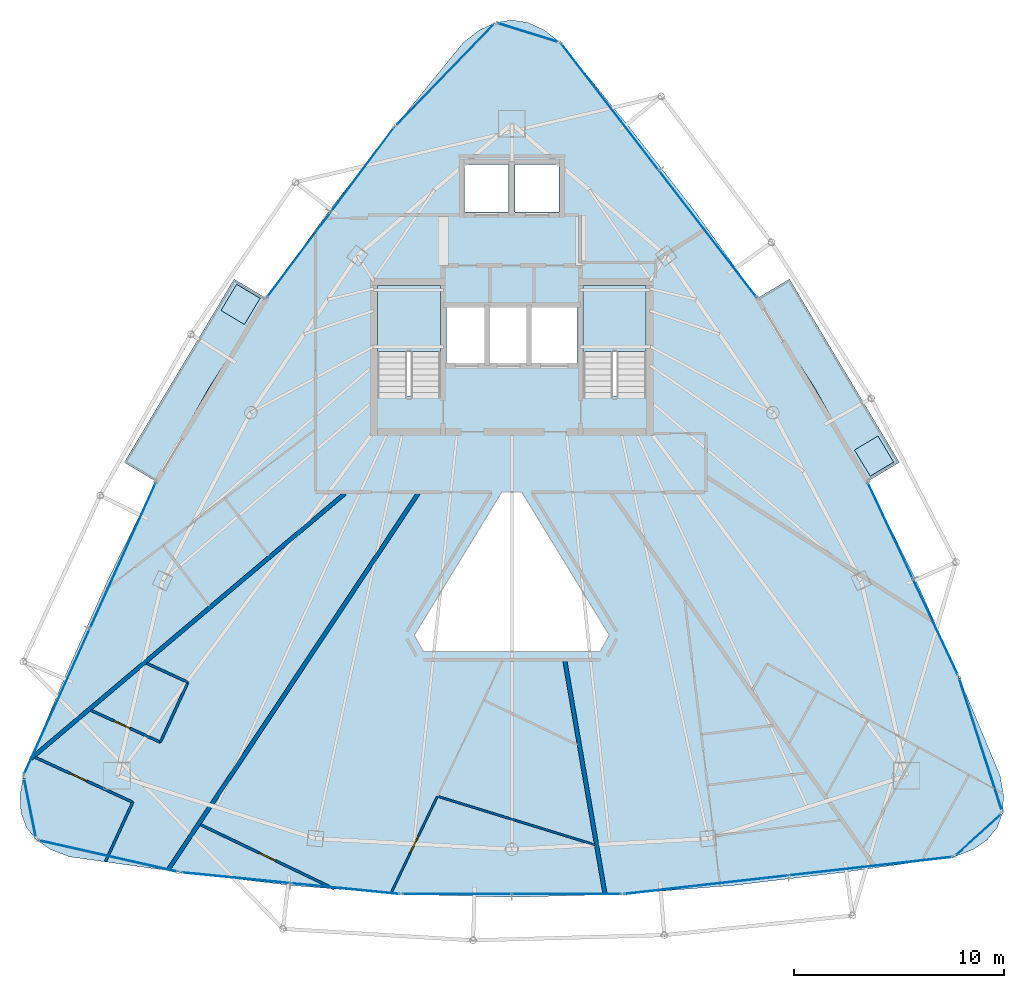
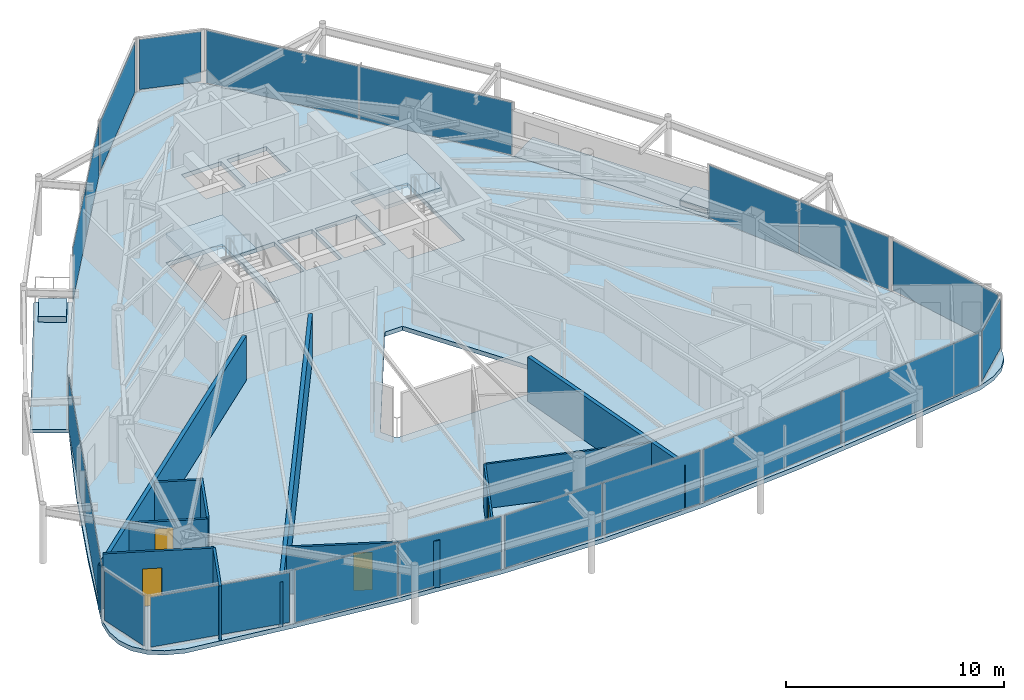
# One storey, part 27 of 33: 20 plates, 11 walls, 7 slabs, 4 doors, 4 openings, 15 elements without a shape of their own.
"""IFC4 building model written with IfcOpenShell, lengths in metres."""

from ifc_helpers import new_model, si_unit, direction, frame, frame_2d, origin, origin_2d, place, context, subcontext, project, spatial, polyline, rectangle, outline, extrude, material, layer, layer_set, type_object, element, fill, aggregate, save


model = new_model("IFC4")

# Units and contexts
model_context = context("Model", 3, precision=1e-05, world=origin(), true_north=direction((0.0, 1.0)))
body_context = subcontext(model_context, "Body", "Model", "MODEL_VIEW")
ifc_project = project(units=[si_unit("LENGTHUNIT", "METRE"), si_unit("AREAUNIT", "SQUARE_METRE"), si_unit("VOLUMEUNIT", "CUBIC_METRE"), si_unit("PLANEANGLEUNIT", "RADIAN"), si_unit("MASSUNIT", "GRAM", prefix="KILO")], contexts=[model_context])

# Site, building, storey
site_placement = place(None, origin())
site = spatial("IfcSite", under=ifc_project, at=site_placement, CompositionType="ELEMENT")
building_placement = place(site_placement, origin())
building = spatial("IfcBuilding", under=site, at=building_placement, Name="Orvanel Arch Residences", CompositionType="ELEMENT")
storey_placement = place(building_placement, frame((0.0, 0.0, 209.60009765625)))
storey = spatial("IfcBuildingStorey", under=building, at=storey_placement, Name="L59", CompositionType="ELEMENT", Elevation=209.60009765625)

# Curtain wall, plates
ifc_material_1 = material(Name="Bronze-anodised aluminium AA6063-T6", Category="aluminium")
ifc_layer_1 = layer(ifc_material_1, 0.175048828125)
ifc_layer_set_1 = layer_set([ifc_layer_1], Name="Bronze-anodised aluminium AA6063-T6")
curtain_wall_type_1 = type_object("IfcCurtainWallType", Name="CW4-HI-SYS", PredefinedType="NOTDEFINED", material=ifc_layer_set_1)
curtain_wall_1_placement = place(storey_placement, origin())
curtain_wall_1 = element("IfcCurtainWall", 1, at=curtain_wall_1_placement, inside=storey, type_object=curtain_wall_type_1, Name="L59 CW4-HI-SYS Unitised Curtain Wall", PredefinedType="NOTDEFINED")
ifc_material_2 = material(Name="Double-glazed solar-control low-E safety glass", Category="glass")
ifc_layer_2 = layer(ifc_material_2, 0.028076171875)
ifc_layer_set_2 = layer_set([ifc_layer_2], Name="Double-glazed solar-control low-E safety glass")
plate_type_1 = type_object("IfcPlateType", Name="PNL-GLZ-28", PredefinedType="CURTAIN_PANEL", material=ifc_layer_set_2)
plate_1_placement = place(storey_placement, frame((25.884033203125, 39.20654296875, 0.059814453125), z_axis=(0.0, 0.0, 1.0), x_axis=(-0.599151723424, -0.800635505282, 0.0)))
plate_1 = element("IfcPlate", 2, at=plate_1_placement, type_object=plate_type_1, Name="CW-S4 panel 1.1", PredefinedType="CURTAIN_PANEL", context=body_context, shape_type="SweptSolid", body=[
    extrude(rectangle(XDim=4.997314453125, YDim=0.028076171875, at=origin_2d()), origin(), (0.0, 0.0, 1.0), 2.93994140625),
])
plate_2_placement = place(storey_placement, frame((22.85107421875, 35.153564453125, 0.059814453125), z_axis=(0.0, 0.0, 1.0), x_axis=(-0.599151723424, -0.800635505282, 0.0)))
plate_2 = element("IfcPlate", 3, at=plate_2_placement, type_object=plate_type_1, Name="CW-S4 panel 2.1", PredefinedType="CURTAIN_PANEL", context=body_context, shape_type="SweptSolid", body=[
    extrude(rectangle(XDim=4.997314453125, YDim=0.028076171875, at=origin_2d()), origin(), (0.0, 0.0, 1.0), 2.93994140625),
])
aggregate(curtain_wall_1, [plate_1, plate_2])

curtain_wall_2_placement = place(storey_placement, origin())
curtain_wall_2 = element("IfcCurtainWall", 4, at=curtain_wall_2_placement, inside=storey, type_object=curtain_wall_type_1, Name="L59 CW4-HI-SYS Unitised Curtain Wall", PredefinedType="NOTDEFINED")
plate_3_placement = place(storey_placement, frame((14.476318359375, 20.833740234375, 0.059814453125), z_axis=(0.0, 0.0, 1.0), x_axis=(-0.411530785971, -0.911395859217, 0.0)))
plate_3 = element("IfcPlate", 5, at=plate_3_placement, type_object=plate_type_1, Name="CW-S4 panel 1.1", PredefinedType="CURTAIN_PANEL", context=body_context, shape_type="SweptSolid", body=[
    extrude(rectangle(XDim=7.566650390625, YDim=0.028076171875, at=origin_2d()), origin(), (0.0, 0.0, 1.0), 2.93994140625),
])
plate_4_placement = place(storey_placement, frame((11.335693359375, 13.87841796875, 0.059814453125), z_axis=(0.0, 0.0, 1.0), x_axis=(-0.411530785971, -0.911395859217, 0.0)))
plate_4 = element("IfcPlate", 6, at=plate_4_placement, type_object=plate_type_1, Name="CW-S4 panel 2.1", PredefinedType="CURTAIN_PANEL", context=body_context, shape_type="SweptSolid", body=[
    extrude(rectangle(XDim=7.566650390625, YDim=0.028076171875, at=origin_2d()), origin(), (0.0, 0.0, 1.0), 2.93994140625),
])
aggregate(curtain_wall_2, [plate_3, plate_4])

curtain_wall_3_placement = place(storey_placement, origin())
curtain_wall_3 = element("IfcCurtainWall", 7, at=curtain_wall_3_placement, inside=storey, type_object=curtain_wall_type_1, Name="L59 CW4-HI-SYS Unitised Curtain Wall", PredefinedType="NOTDEFINED")
plate_5_placement = place(storey_placement, frame((19.858642578125, 5.4873046875, 0.059814453125), z_axis=(0.0, 0.0, 1.0), x_axis=(0.995125054579, -0.098621122229, 0.0)))
plate_5 = element("IfcPlate", 8, at=plate_5_placement, type_object=plate_type_1, Name="CW-S4 panel 1.1", PredefinedType="CURTAIN_PANEL", context=body_context, shape_type="SweptSolid", body=[
    extrude(rectangle(XDim=5.17529296875, YDim=0.028076171875, at=origin_2d()), origin(), (0.0, 0.0, 1.0), 2.93994140625),
])
plate_6_placement = place(storey_placement, frame((25.0732421875, 4.970703125, 0.059814453125), z_axis=(0.0, 0.0, 1.0), x_axis=(0.995125054579, -0.098621122229, 0.0)))
plate_6 = element("IfcPlate", 9, at=plate_6_placement, type_object=plate_type_1, Name="CW-S4 panel 2.1", PredefinedType="CURTAIN_PANEL", context=body_context, shape_type="SweptSolid", body=[
    extrude(rectangle(XDim=5.17529296875, YDim=0.028076171875, at=origin_2d()), origin(), (0.0, 0.0, 1.0), 2.93994140625),
])
aggregate(curtain_wall_3, [plate_5, plate_6])

curtain_wall_4_placement = place(storey_placement, origin())
curtain_wall_4 = element("IfcCurtainWall", 10, at=curtain_wall_4_placement, inside=storey, type_object=curtain_wall_type_1, Name="L59 CW4-HI-SYS Unitised Curtain Wall", PredefinedType="NOTDEFINED")
plate_7_placement = place(storey_placement, frame((30.392822265625, 4.70703125, 0.059814453125), z_axis=(0.0, 0.0, 1.0), x_axis=(1.0, 0.0, 0.0)))
plate_7 = element("IfcPlate", 11, at=plate_7_placement, type_object=plate_type_1, Name="CW-S4 panel 1.1", PredefinedType="CURTAIN_PANEL", context=body_context, shape_type="SweptSolid", body=[
    extrude(rectangle(XDim=5.1494140625, YDim=0.028076171875, at=origin_2d()), origin(), (0.0, 0.0, 1.0), 2.93994140625),
])
plate_8_placement = place(storey_placement, frame((35.607177734375, 4.70703125, 0.059814453125), z_axis=(0.0, 0.0, 1.0), x_axis=(1.0, 0.0, 0.0)))
plate_8 = element("IfcPlate", 12, at=plate_8_placement, type_object=plate_type_1, Name="CW-S4 panel 2.1", PredefinedType="CURTAIN_PANEL", context=body_context, shape_type="SweptSolid", body=[
    extrude(rectangle(XDim=5.1494140625, YDim=0.028076171875, at=origin_2d()), origin(), (0.0, 0.0, 1.0), 2.93994140625),
])
aggregate(curtain_wall_4, [plate_7, plate_8])

curtain_wall_5_placement = place(storey_placement, origin())
curtain_wall_5 = element("IfcCurtainWall", 13, at=curtain_wall_5_placement, inside=storey, type_object=curtain_wall_type_1, Name="L59 CW4-HI-SYS Unitised Curtain Wall", PredefinedType="NOTDEFINED")
plate_9_placement = place(storey_placement, frame((42.243408203125, 5.155029296875, 0.059814453125), z_axis=(0.0, 0.0, 1.0), x_axis=(0.993704057528, 0.11203680669, 0.0)))
plate_9 = element("IfcPlate", 14, at=plate_9_placement, type_object=plate_type_1, Name="CW-S4 panel 1.1", PredefinedType="CURTAIN_PANEL", context=body_context, shape_type="SweptSolid", body=[
    extrude(rectangle(XDim=7.8330078125, YDim=0.028076171875, at=origin_2d()), origin(), (0.0, 0.0, 1.0), 2.93994140625),
])
plate_10_placement = place(storey_placement, frame((50.091552734375, 6.0400390625, 0.059814453125), z_axis=(0.0, 0.0, 1.0), x_axis=(0.993704057528, 0.11203680669, 0.0)))
plate_10 = element("IfcPlate", 15, at=plate_10_placement, type_object=plate_type_1, Name="CW-S4 panel 2.1", PredefinedType="CURTAIN_PANEL", context=body_context, shape_type="SweptSolid", body=[
    extrude(rectangle(XDim=7.8330078125, YDim=0.028076171875, at=origin_2d()), origin(), (0.0, 0.0, 1.0), 2.93994140625),
])
aggregate(curtain_wall_5, [plate_9, plate_10])

curtain_wall_6_placement = place(storey_placement, origin())
curtain_wall_6 = element("IfcCurtainWall", 16, at=curtain_wall_6_placement, inside=storey, type_object=curtain_wall_type_1, Name="L59 CW4-HI-SYS Unitised Curtain Wall", PredefinedType="NOTDEFINED")
plate_11_placement = place(storey_placement, frame((53.176025390625, 17.435546875, 0.059814453125), z_axis=(0.0, 0.0, 1.0), x_axis=(-0.424340844978, 0.905502538529, 0.0)))
plate_11 = element("IfcPlate", 17, at=plate_11_placement, type_object=plate_type_1, Name="CW-S4 panel 1.1", PredefinedType="CURTAIN_PANEL", context=body_context, shape_type="SweptSolid", body=[
    extrude(rectangle(XDim=4.99755859375, YDim=0.028076171875, at=origin_2d()), origin(), (0.0, 0.0, 1.0), 2.93994140625),
])
plate_12_placement = place(storey_placement, frame((51.02783203125, 22.01953125, 0.059814453125), z_axis=(0.0, 0.0, 1.0), x_axis=(-0.424340844978, 0.905502538529, 0.0)))
plate_12 = element("IfcPlate", 18, at=plate_12_placement, type_object=plate_type_1, Name="CW-S4 panel 2.1", PredefinedType="CURTAIN_PANEL", context=body_context, shape_type="SweptSolid", body=[
    extrude(rectangle(XDim=4.99755859375, YDim=0.028076171875, at=origin_2d()), origin(), (0.0, 0.0, 1.0), 2.93994140625),
])
aggregate(curtain_wall_6, [plate_11, plate_12])

curtain_wall_7_placement = place(storey_placement, origin())
curtain_wall_7 = element("IfcCurtainWall", 19, at=curtain_wall_7_placement, inside=storey, type_object=curtain_wall_type_1, Name="L59 CW4-HI-SYS Unitised Curtain Wall", PredefinedType="NOTDEFINED")
plate_13_placement = place(storey_placement, frame((42.33642578125, 36.1494140625, 0.059814453125), z_axis=(0.0, 0.0, 1.0), x_axis=(-0.61032539084, 0.792150817266, 0.0)))
plate_13 = element("IfcPlate", 20, at=plate_13_placement, type_object=plate_type_1, Name="CW-S4 panel 1.1", PredefinedType="CURTAIN_PANEL", context=body_context, shape_type="SweptSolid", body=[
    extrude(rectangle(XDim=7.56640625, YDim=0.028076171875, at=origin_2d()), origin(), (0.0, 0.0, 1.0), 2.93994140625),
])
plate_14_placement = place(storey_placement, frame((37.6787109375, 42.194580078125, 0.059814453125), z_axis=(0.0, 0.0, 1.0), x_axis=(-0.61032539084, 0.792150817266, 0.0)))
plate_14 = element("IfcPlate", 21, at=plate_14_placement, type_object=plate_type_1, Name="CW-S4 panel 2.1", PredefinedType="CURTAIN_PANEL", context=body_context, shape_type="SweptSolid", body=[
    extrude(rectangle(XDim=7.56640625, YDim=0.028076171875, at=origin_2d()), origin(), (0.0, 0.0, 1.0), 2.93994140625),
])
aggregate(curtain_wall_7, [plate_13, plate_14])

# Curtain wall, plate
ifc_layer_3 = layer(ifc_material_1, 0.18994140625)
ifc_layer_set_3 = layer_set([ifc_layer_3], Name="Bronze-anodised aluminium AA6063-T6")
curtain_wall_type_2 = type_object("IfcCurtainWallType", Name="CW5-CRN-SYS", PredefinedType="NOTDEFINED", material=ifc_layer_set_3)
curtain_wall_8_placement = place(storey_placement, origin())
curtain_wall_8 = element("IfcCurtainWall", 22, at=curtain_wall_8_placement, inside=storey, type_object=curtain_wall_type_2, Name="L59 CW5-CRN-SYS Unitised Curtain Wall", PredefinedType="NOTDEFINED")
ifc_layer_4 = layer(ifc_material_2, 0.031982421875)
ifc_layer_set_4 = layer_set([ifc_layer_4], Name="Double-glazed solar-control low-E safety glass")
plate_type_2 = type_object("IfcPlateType", Name="PNL-GLZ-32", PredefinedType="CURTAIN_PANEL", material=ifc_layer_set_4)
plate_15_placement = place(storey_placement, frame((33.7724609375, 45.739990234375, 0.1298828125), z_axis=(0.0, 0.0, 1.0), x_axis=(-0.954841003461, 0.297117246401, 0.0)))
plate_15 = element("IfcPlate", 23, at=plate_15_placement, type_object=plate_type_2, Name="CW-S5 panel 1.1", PredefinedType="CURTAIN_PANEL", context=body_context, shape_type="SweptSolid", body=[
    extrude(rectangle(XDim=2.8974609375, YDim=0.031982421875, at=origin_2d()), origin(), (0.0, 0.0, 1.0), 2.800048828125),
])
aggregate(curtain_wall_8, [plate_15])

curtain_wall_9_placement = place(storey_placement, origin())
curtain_wall_9 = element("IfcCurtainWall", 24, at=curtain_wall_9_placement, inside=storey, type_object=curtain_wall_type_2, Name="L59 CW5-CRN-SYS Unitised Curtain Wall", PredefinedType="NOTDEFINED")
plate_16_placement = place(storey_placement, frame((29.82958984375, 43.748046875, 0.1298828125), z_axis=(0.0, 0.0, 1.0), x_axis=(-0.695997606834, -0.718044101209, 0.0)))
plate_16 = element("IfcPlate", 25, at=plate_16_placement, type_object=plate_type_2, Name="CW-S5 panel 1.1", PredefinedType="CURTAIN_PANEL", context=body_context, shape_type="SweptSolid", body=[
    extrude(rectangle(XDim=6.549072265625, YDim=0.031982421875, at=origin_2d()), origin(), (0.0, 0.0, 1.0), 2.800048828125),
])
aggregate(curtain_wall_9, [plate_16])

curtain_wall_10_placement = place(storey_placement, origin())
curtain_wall_10 = element("IfcCurtainWall", 26, at=curtain_wall_10_placement, inside=storey, type_object=curtain_wall_type_2, Name="L59 CW5-CRN-SYS Unitised Curtain Wall", PredefinedType="NOTDEFINED")
plate_17_placement = place(storey_placement, frame((10.048583984375, 8.824462890625, 0.1298828125), z_axis=(0.0, 0.0, 1.0), x_axis=(0.195365920622, -0.980730420176, 0.0)))
plate_17 = element("IfcPlate", 27, at=plate_17_placement, type_object=plate_type_2, Name="CW-S5 panel 1.1", PredefinedType="CURTAIN_PANEL", context=body_context, shape_type="SweptSolid", body=[
    extrude(rectangle(XDim=2.7763671875, YDim=0.031982421875, at=origin_2d()), origin(), (0.0, 0.0, 1.0), 2.800048828125),
])
aggregate(curtain_wall_10, [plate_17])

curtain_wall_11_placement = place(storey_placement, origin())
curtain_wall_11 = element("IfcCurtainWall", 28, at=curtain_wall_11_placement, inside=storey, type_object=curtain_wall_type_2, Name="L59 CW5-CRN-SYS Unitised Curtain Wall", PredefinedType="NOTDEFINED")
plate_18_placement = place(storey_placement, frame((13.77587890625, 6.5234375, 0.1298828125), z_axis=(0.0, 0.0, 1.0), x_axis=(0.975436035284, -0.220282866037, 0.0)))
plate_18 = element("IfcPlate", 29, at=plate_18_placement, type_object=plate_type_2, Name="CW-S5 panel 1.1", PredefinedType="CURTAIN_PANEL", context=body_context, shape_type="SweptSolid", body=[
    extrude(rectangle(XDim=6.677490234375, YDim=0.031982421875, at=origin_2d()), origin(), (0.0, 0.0, 1.0), 2.800048828125),
])
aggregate(curtain_wall_11, [plate_18])

curtain_wall_12_placement = place(storey_placement, origin())
curtain_wall_12 = element("IfcCurtainWall", 30, at=curtain_wall_12_placement, inside=storey, type_object=curtain_wall_type_2, Name="L59 CW5-CRN-SYS Unitised Curtain Wall", PredefinedType="NOTDEFINED")
plate_19_placement = place(storey_placement, frame((55.221923828125, 7.535888671875, 0.1298828125), z_axis=(0.0, 0.0, 1.0), x_axis=(0.740087062323, 0.672511070676, 0.0)))
plate_19 = element("IfcPlate", 31, at=plate_19_placement, type_object=plate_type_2, Name="CW-S5 panel 1.1", PredefinedType="CURTAIN_PANEL", context=body_context, shape_type="SweptSolid", body=[
    extrude(rectangle(XDim=2.778076171875, YDim=0.031982421875, at=origin_2d()), origin(), (0.0, 0.0, 1.0), 2.800048828125),
])
aggregate(curtain_wall_12, [plate_19])

curtain_wall_13_placement = place(storey_placement, origin())
curtain_wall_13 = element("IfcCurtainWall", 32, at=curtain_wall_13_placement, inside=storey, type_object=curtain_wall_type_2, Name="L59 CW5-CRN-SYS Unitised Curtain Wall", PredefinedType="NOTDEFINED")
plate_20_placement = place(storey_placement, frame((55.323974609375, 11.840087890625, 0.1298828125), z_axis=(0.0, 0.0, 1.0), x_axis=(-0.307483718239, 0.951553342182, 0.0)))
plate_20 = element("IfcPlate", 33, at=plate_20_placement, type_object=plate_type_2, Name="CW-S5 panel 1.1", PredefinedType="CURTAIN_PANEL", context=body_context, shape_type="SweptSolid", body=[
    extrude(rectangle(XDim=6.503662109375, YDim=0.031982421875, at=origin_2d()), origin(), (0.0, 0.0, 1.0), 2.800048828125),
])
aggregate(curtain_wall_13, [plate_20])

# Slabs
ifc_material_3 = material(Name="Concrete N40 (40 MPa)", Category="concrete")
ifc_layer_5 = layer(ifc_material_3, 0.199951171875)
ifc_layer_set_5 = layer_set([ifc_layer_5], Name="Concrete N40 (40 MPa)")
slab_type_1 = type_object("IfcSlabType", Name="SLB-BAL-200", PredefinedType="FLOOR", material=ifc_layer_set_5)
slab_1_placement = place(storey_placement, frame((0.0, 0.0, -0.2001953125)))
element("IfcSlab", 34, at=slab_1_placement, inside=storey, type_object=slab_type_1, Name="L59 Cantilevered Balcony Slab Face 3", PredefinedType="FLOOR", context=body_context, shape_type="SweptSolid", body=[
    extrude(outline(polyline([(51.4580078125, 25.27392578125), (46.22412109375, 34.0009765625), (44.697021484375, 33.0849609375), (47.43994140625, 28.797119140625), (49.931884765625, 24.35888671875), (51.4580078125, 25.27392578125)])), origin(), (0.0, 0.0, 1.0), 0.2001953125),
])
slab_2_placement = place(storey_placement, frame((0.0, 0.0, -0.2001953125)))
element("IfcSlab", 35, at=slab_2_placement, inside=storey, type_object=slab_type_1, Name="L59 Cantilevered Balcony Slab Face 1", PredefinedType="FLOOR", context=body_context, shape_type="SweptSolid", body=[
    extrude(outline(polyline([(19.77587890625, 34.0009765625), (14.5419921875, 25.27392578125), (16.068115234375, 24.35888671875), (18.56005859375, 28.797119140625), (21.302978515625, 33.0849609375), (19.77587890625, 34.0009765625)])), origin(), (0.0, 0.0, 1.0), 0.2001953125),
])

# Stair, slab
ifc_material_4 = material(Name="Precast concrete N50 (50 MPa)", Category="concrete")
stair_type = type_object("IfcStairType", Name="STR-DOG-184", PredefinedType="USERDEFINED", material=ifc_material_4)
stair_1_placement = place(storey_placement, origin())
stair_1 = element("IfcStair", 36, at=stair_1_placement, inside=storey, type_object=stair_type, Name="L59 Fire-Isolated Core Exit Stair 1", ObjectType="TWO_RETURN_STAIR", PredefinedType="USERDEFINED")
ifc_layer_6 = layer(ifc_material_3, 0.199951171875)
ifc_layer_set_6 = layer_set([ifc_layer_6], Name="Concrete N40 (40 MPa)")
slab_type_2 = type_object("IfcSlabType", Name="SLB-LND-200", PredefinedType="LANDING", material=ifc_layer_set_6)
slab_3_placement = place(storey_placement, frame((0.0, 0.0, 1.449951171875)))
slab_3 = element("IfcSlab", 37, at=slab_3_placement, type_object=slab_type_2, Name="ST-1 landing 1", PredefinedType="LANDING", context=body_context, shape_type="SweptSolid", body=[
    extrude(outline(polyline([(29.60009765625, 30.56005859375), (29.60009765625, 33.699951171875), (26.60009765625, 33.699951171875), (26.60009765625, 30.56005859375), (29.60009765625, 30.56005859375)])), origin(), (0.0, 0.0, 1.0), 0.199951171875),
])
aggregate(stair_1, [slab_3])

stair_2_placement = place(storey_placement, origin())
stair_2 = element("IfcStair", 38, at=stair_2_placement, inside=storey, type_object=stair_type, Name="L59 Fire-Isolated Core Exit Stair 2", ObjectType="TWO_RETURN_STAIR", PredefinedType="USERDEFINED")
slab_4_placement = place(storey_placement, frame((0.0, 0.0, 1.449951171875)))
slab_4 = element("IfcSlab", 39, at=slab_4_placement, type_object=slab_type_2, Name="ST-2 landing 1", PredefinedType="LANDING", context=body_context, shape_type="SweptSolid", body=[
    extrude(outline(polyline([(39.39990234375, 30.56005859375), (39.39990234375, 33.699951171875), (36.39990234375, 33.699951171875), (36.39990234375, 30.56005859375), (39.39990234375, 30.56005859375)])), origin(), (0.0, 0.0, 1.0), 0.199951171875),
])
aggregate(stair_2, [slab_4])

# Slabs
ifc_material_5 = material(Name="Structural architectural precast concrete N40 (40 MPa) planter", Category="concrete")
ifc_layer_7 = layer(ifc_material_5, 0.320068359375)
ifc_layer_set_7 = layer_set([ifc_layer_7], Name="Structural architectural precast concrete N40 (40 MPa) planter")
slab_type_3 = type_object("IfcSlabType", Name="SLB-PLN-320", PredefinedType="USERDEFINED", material=ifc_layer_set_7)
slab_5_placement = place(storey_placement, origin())
element("IfcSlab", 40, at=slab_5_placement, inside=storey, type_object=slab_type_3, Name="L59 Balcony TREE PLANTER Face 3", ObjectType="PLANTER", PredefinedType="USERDEFINED", context=body_context, shape_type="SweptSolid", body=[
    extrude(outline(polyline([(51.18408203125, 25.284912109375), (50.43798828125, 26.528076171875), (49.322998046875, 25.85888671875), (50.069091796875, 24.615966796875), (51.18408203125, 25.284912109375)])), origin(), (0.0, 0.0, 1.0), 0.31982421875),
])
slab_6_placement = place(storey_placement, origin())
element("IfcSlab", 41, at=slab_6_placement, inside=storey, type_object=slab_type_3, Name="L59 Balcony TREE PLANTER Face 1", ObjectType="PLANTER", PredefinedType="USERDEFINED", context=body_context, shape_type="SweptSolid", body=[
    extrude(outline(polyline([(19.89599609375, 33.75390625), (19.15087890625, 32.510009765625), (20.264892578125, 31.842041015625), (21.010986328125, 33.0849609375), (19.89599609375, 33.75390625)])), origin(), (0.0, 0.0, 1.0), 0.31982421875),
])
ifc_layer_8 = layer(ifc_material_3, 0.239990234375)
ifc_layer_set_8 = layer_set([ifc_layer_8], Name="Concrete N40 (40 MPa)")
slab_type_4 = type_object("IfcSlabType", Name="SLB-TYP-240", PredefinedType="FLOOR", material=ifc_layer_set_8)
slab_7_placement = place(storey_placement, frame((0.0, 0.0, -0.239990234375)))
element("IfcSlab", 42, at=slab_7_placement, inside=storey, type_object=slab_type_4, Name="L59 Tower Floor Slab", PredefinedType="FLOOR", context=body_context, shape_type="SweptSolid", body=[
    extrude(outline(polyline([(35.318115234375, 45.259033203125), (34.544921875, 45.860107421875), (33.77294921875, 46.220947265625), (33.0, 46.341064453125), (32.22705078125, 46.220947265625), (31.455078125, 45.860107421875), (30.681884765625, 45.259033203125), (27.431884765625, 41.27490234375), (24.278076171875, 37.23291015625), (21.302978515625, 33.0849609375), (18.56005859375, 28.797119140625), (16.068115234375, 24.35888671875), (13.80908203125, 19.780029296875), (11.72802734375, 15.095947265625), (9.743896484375, 10.35302734375), (9.577880859375, 9.407958984375), (9.6240234375, 8.583984375), (9.882080078125, 7.8798828125), (10.35302734375, 7.2958984375), (11.037109375, 6.83203125), (11.931884765625, 6.488037109375), (17.198974609375, 5.7509765625), (22.466064453125, 5.125), (27.73291015625, 4.70703125), (33.0, 4.56103515625), (38.26708984375, 4.70703125), (43.533935546875, 5.125), (48.801025390625, 5.7509765625), (54.068115234375, 6.488037109375), (54.964111328125, 6.83203125), (55.64697265625, 7.2958984375), (56.117919921875, 7.8798828125), (56.3759765625, 8.583984375), (56.422119140625, 9.407958984375), (56.256103515625, 10.35302734375), (54.27197265625, 15.095947265625), (52.19091796875, 19.780029296875), (49.931884765625, 24.35888671875), (47.43994140625, 28.797119140625), (44.697021484375, 33.0849609375), (41.721923828125, 37.23291015625), (38.568115234375, 41.27490234375), (35.318115234375, 45.259033203125)]), holes=[polyline([(26.60009765625, 28.429931640625), (26.60009765625, 33.699951171875), (29.60009765625, 33.699951171875), (29.60009765625, 28.429931640625), (26.60009765625, 28.429931640625)]), polyline([(36.39990234375, 28.429931640625), (36.39990234375, 33.699951171875), (39.39990234375, 33.699951171875), (39.39990234375, 28.429931640625), (36.39990234375, 28.429931640625)]), polyline([(29.89990234375, 32.64990234375), (31.75, 32.64990234375), (31.75, 29.949951171875), (29.89990234375, 29.949951171875), (29.89990234375, 32.64990234375)]), polyline([(31.89990234375, 32.64990234375), (33.75, 32.64990234375), (33.75, 29.949951171875), (31.89990234375, 29.949951171875), (31.89990234375, 32.64990234375)]), polyline([(33.89990234375, 32.64990234375), (36.10009765625, 32.64990234375), (36.10009765625, 29.949951171875), (33.89990234375, 29.949951171875), (33.89990234375, 32.64990234375)]), polyline([(30.75, 39.449951171875), (32.85009765625, 39.449951171875), (32.85009765625, 37.199951171875), (30.75, 37.199951171875), (30.75, 39.449951171875)]), polyline([(33.14990234375, 39.449951171875), (35.25, 39.449951171875), (35.25, 37.199951171875), (33.14990234375, 37.199951171875), (33.14990234375, 39.449951171875)]), polyline([(37.64404296875, 17.0400390625), (37.212890625, 16.27001953125), (28.787109375, 16.27001953125), (28.35595703125, 17.0400390625), (32.529052734375, 23.867919921875), (33.470947265625, 23.867919921875), (37.64404296875, 17.0400390625)])]), origin(), (0.0, 0.0, 1.0), 0.239990234375),
])

# Walls
ifc_material_6 = material(Name="Fire-rated plasterboard lined steel stud partition", Category="steel")
ifc_layer_9 = layer(ifc_material_6, 0.199951171875)
ifc_layer_set_9 = layer_set([ifc_layer_9], Name="Fire-rated plasterboard lined steel stud partition")
wall_type_1 = type_object("IfcWallType", Name="W-DEM-200", PredefinedType="PARTITIONING", material=ifc_layer_set_9)
wall_1_placement = place(storey_placement, frame((35.530029296875, 15.81005859375, 0.0), z_axis=(0.0, 0.0, 1.0), x_axis=(0.169681394536, -0.985498972272, 0.0)))
element("IfcWall", 43, at=wall_1_placement, inside=storey, type_object=wall_type_1, Name="L59 Inter-Tenancy Acoustic Demising Wall", PredefinedType="PARTITIONING", context=body_context, shape_type="SweptSolid", body=[
    extrude(rectangle(XDim=11.274658203125, YDim=0.199951171875, at=frame_2d((5.63720703125, 0.0))), origin(), (0.0, 0.0, 1.0), 2.491943359375),
])
wall_2_placement = place(storey_placement, frame((16.617919921875, 5.845947265625, 0.0), z_axis=(0.0, 0.0, 1.0), x_axis=(0.553425992232, 0.832898355817, 0.0)))
element("IfcWall", 44, at=wall_2_placement, inside=storey, type_object=wall_type_1, Name="L59 Inter-Tenancy Acoustic Demising Wall", PredefinedType="PARTITIONING", context=body_context, shape_type="SweptSolid", body=[
    extrude(rectangle(XDim=21.544189453125, YDim=0.199951171875, at=frame_2d((10.77197265625, 0.0))), origin(), (0.0, 0.0, 1.0), 2.491943359375),
])
wall_3_placement = place(storey_placement, frame((10.0869140625, 11.156005859375, 0.0), z_axis=(0.0, 0.0, 1.0), x_axis=(0.76410924632, 0.645086862127, 0.0)))
element("IfcWall", 45, at=wall_3_placement, inside=storey, type_object=wall_type_1, Name="L59 Inter-Tenancy Acoustic Demising Wall", PredefinedType="PARTITIONING", context=body_context, shape_type="SweptSolid", body=[
    extrude(rectangle(XDim=19.5849609375, YDim=0.199951171875, at=frame_2d((9.79248046875, 0.0))), origin(), (0.0, 0.0, 1.0), 2.491943359375),
])

# Wall, opening, door
ifc_material_7 = material(Name="Acoustic plasterboard lined twin-stud partition", Category="gypsum")
ifc_layer_10 = layer(ifc_material_7, 0.10009765625)
ifc_layer_set_10 = layer_set([ifc_layer_10], Name="Acoustic plasterboard lined twin-stud partition")
wall_type_2 = type_object("IfcWallType", Name="W-INT-100", PredefinedType="PARTITIONING", material=ifc_layer_set_10)
wall_4_placement = place(storey_placement, frame((29.458984375, 9.3701171875, 0.0), z_axis=(0.0, 0.0, 1.0), x_axis=(-0.43211613455, -0.901817967364, 0.0)))
wall_4 = element("IfcWall", 46, at=wall_4_placement, inside=storey, type_object=wall_type_2, Name="L59 Flat A Internal Partition", PredefinedType="PARTITIONING", context=body_context, shape_type="SweptSolid", body=[
    extrude(rectangle(XDim=5.112060546875, YDim=0.10009765625, at=frame_2d((2.55615234375, 0.0))), origin(), (0.0, 0.0, 1.0), 2.491943359375),
])
opening_1_placement = place(wall_4_placement, frame((2.115966796875, 0.0, 0.0)))
opening_1 = element("IfcOpeningElement", 47, at=opening_1_placement, cuts=wall_4, Name="Opening DI-088", PredefinedType="OPENING", context=body_context, shape_type="SweptSolid", body=[
    extrude(rectangle(XDim=0.8798828125, YDim=2.10009765625, at=frame_2d((0.43994140625, 1.050048828125))), frame((0.0, 0.06005859375, 0.0), z_axis=(0.0, -1.0, 0.0), x_axis=(1.0, 0.0, 0.0)), (0.0, 0.0, 1.0), 0.1201171875),
])
ifc_material_8 = material(Name="Solid-core European oak veneer fire door leaf", Category="wood")
door_type_1 = type_object("IfcDoorType", Name="DR-INT-880", OperationType="NOTDEFINED", PredefinedType="DOOR", material=ifc_material_8)
door_1_placement = place(opening_1_placement, origin())
door_1 = element("IfcDoor", 48, at=door_1_placement, inside=storey, type_object=door_type_1, Name="DR-L59-A-BED1 L59 Flat A Bedroom 1 Door", OperationType="SINGLE_SWING_LEFT", OverallHeight=2.10009765625, OverallWidth=0.8798828125, PredefinedType="DOOR", context=body_context, shape_type="SweptSolid", body=[
    extrude(rectangle(XDim=0.8798828125, YDim=2.10009765625, at=frame_2d((0.43994140625, 1.050048828125))), frame((0.0, 0.02490234375, 0.0), z_axis=(0.0, -1.0, 0.0), x_axis=(1.0, 0.0, 0.0)), (0.0, 0.0, 1.0), 0.050048828125),
])
fill(opening_1, door_1)

# Wall
wall_5_placement = place(storey_placement, frame((29.458984375, 9.3701171875, 0.0), z_axis=(0.0, 0.0, 1.0), x_axis=(0.955559226726, -0.294799193044, 0.0)))
element("IfcWall", 49, at=wall_5_placement, inside=storey, type_object=wall_type_2, Name="L59 Flat A Internal Partition", PredefinedType="PARTITIONING", context=body_context, shape_type="SweptSolid", body=[
    extrude(rectangle(XDim=7.83935546875, YDim=0.10009765625, at=frame_2d((3.919677734375, 0.0))), origin(), (0.0, 0.0, 1.0), 2.491943359375),
])

# Wall, opening, door
ifc_layer_11 = layer(ifc_material_7, 0.1201171875)
ifc_layer_set_11 = layer_set([ifc_layer_11], Name="Acoustic plasterboard lined twin-stud partition")
wall_type_3 = type_object("IfcWallType", Name="W-WET-120", PredefinedType="PARTITIONING", material=ifc_layer_set_11)
wall_6_placement = place(storey_placement, frame((24.535888671875, 4.966064453125, 0.0), z_axis=(0.0, 0.0, 1.0), x_axis=(-0.901746721557, 0.432264791721, 0.0)))
wall_6 = element("IfcWall", 50, at=wall_6_placement, inside=storey, type_object=wall_type_3, Name="L59 Flat A Internal Partition", PredefinedType="PARTITIONING", context=body_context, shape_type="SweptSolid", body=[
    extrude(rectangle(XDim=7.06494140625, YDim=0.1201171875, at=frame_2d((3.532470703125, 0.0))), origin(), (0.0, 0.0, 1.0), 2.618896484375),
])
opening_2_placement = place(wall_6_placement, frame((3.093017578125, 0.0, 0.0)))
opening_2 = element("IfcOpeningElement", 51, at=opening_2_placement, cuts=wall_6, Name="Opening DI-088", PredefinedType="OPENING", context=body_context, shape_type="SweptSolid", body=[
    extrude(rectangle(XDim=0.8798828125, YDim=2.10009765625, at=frame_2d((0.43994140625, 1.050048828125))), frame((0.0, 0.070068359375, 0.0), z_axis=(0.0, -1.0, 0.0), x_axis=(1.0, 0.0, 0.0)), (0.0, 0.0, 1.0), 0.14013671875),
])
door_2_placement = place(opening_2_placement, origin())
door_2 = element("IfcDoor", 52, at=door_2_placement, inside=storey, type_object=door_type_1, Name="DR-L59-A-KIT L59 Flat A Kitchen Door", OperationType="SINGLE_SWING_LEFT", OverallHeight=2.10009765625, OverallWidth=0.8798828125, PredefinedType="DOOR", context=body_context, shape_type="SweptSolid", body=[
    extrude(rectangle(XDim=0.8798828125, YDim=2.10009765625, at=frame_2d((0.43994140625, 1.050048828125))), frame((0.0, 0.02490234375, 0.0), z_axis=(0.0, -1.0, 0.0), x_axis=(1.0, 0.0, 0.0)), (0.0, 0.0, 1.0), 0.050048828125),
])
fill(opening_2, door_2)

wall_7_placement = place(storey_placement, frame((12.9541015625, 13.465087890625, 0.0), z_axis=(0.0, 0.0, 1.0), x_axis=(0.908453283004, -0.41798640241, 0.0)))
wall_7 = element("IfcWall", 53, at=wall_7_placement, inside=storey, type_object=wall_type_3, Name="L59 Studio D Bathroom Partition", PredefinedType="PARTITIONING", context=body_context, shape_type="SweptSolid", body=[
    extrude(rectangle(XDim=3.64111328125, YDim=0.1201171875, at=frame_2d((1.820556640625, 0.0))), origin(), (0.0, 0.0, 1.0), 2.491943359375),
])
opening_3_placement = place(wall_7_placement, frame((1.2119140625, 0.0, 0.0)))
opening_3 = element("IfcOpeningElement", 54, at=opening_3_placement, cuts=wall_7, Name="Opening DW-082", PredefinedType="OPENING", context=body_context, shape_type="SweptSolid", body=[
    extrude(rectangle(XDim=0.820068359375, YDim=2.10009765625, at=frame_2d((0.41015625, 1.050048828125))), frame((0.0, 0.070068359375, 0.0), z_axis=(0.0, -1.0, 0.0), x_axis=(1.0, 0.0, 0.0)), (0.0, 0.0, 1.0), 0.14013671875),
])
door_type_2 = type_object("IfcDoorType", Name="DR-WET-820", OperationType="NOTDEFINED", PredefinedType="DOOR", material=ifc_material_8)
door_3_placement = place(opening_3_placement, origin())
door_3 = element("IfcDoor", 55, at=door_3_placement, inside=storey, type_object=door_type_2, Name="DR-L59-D-BATH L59 Studio D Bathroom Door", OperationType="SINGLE_SWING_RIGHT", OverallHeight=2.10009765625, OverallWidth=0.820068359375, PredefinedType="DOOR", context=body_context, shape_type="SweptSolid", body=[
    extrude(rectangle(XDim=0.820068359375, YDim=2.10009765625, at=frame_2d((0.41015625, 1.050048828125))), frame((0.0, 0.02490234375, 0.0), z_axis=(0.0, -1.0, 0.0), x_axis=(1.0, 0.0, 0.0)), (0.0, 0.0, 1.0), 0.050048828125),
])
fill(opening_3, door_3)

# Walls
wall_8_placement = place(storey_placement, frame((16.261962890625, 11.943115234375, 0.0), z_axis=(0.0, 0.0, 1.0), x_axis=(0.417964576431, 0.908463324988, 0.0)))
element("IfcWall", 56, at=wall_8_placement, inside=storey, type_object=wall_type_3, Name="L59 Studio D Bathroom Partition", PredefinedType="PARTITIONING", context=body_context, shape_type="SweptSolid", body=[
    extrude(rectangle(XDim=3.143798828125, YDim=0.1201171875, at=frame_2d((1.57177734375, 0.0))), origin(), (0.0, 0.0, 1.0), 2.56494140625),
])
wall_9_placement = place(storey_placement, frame((17.575927734375, 14.799072265625, 0.0), z_axis=(0.0, 0.0, 1.0), x_axis=(-0.908443405033, 0.418007870562, 0.0)))
element("IfcWall", 57, at=wall_9_placement, inside=storey, type_object=wall_type_3, Name="L59 Studio D Bathroom Partition", PredefinedType="PARTITIONING", context=body_context, shape_type="SweptSolid", body=[
    extrude(rectangle(XDim=2.16748046875, YDim=0.1201171875, at=frame_2d((1.083740234375, 0.0))), origin(), (0.0, 0.0, 1.0), 2.491943359375),
])
wall_10_placement = place(storey_placement, frame((13.64794921875, 6.261962890625, 0.0), z_axis=(0.0, 0.0, 1.0), x_axis=(0.418057228076, 0.90842069222, 0.0)))
element("IfcWall", 58, at=wall_10_placement, inside=storey, type_object=wall_type_3, Name="L59 Studio D Internal Partition", PredefinedType="PARTITIONING", context=body_context, shape_type="SweptSolid", body=[
    extrude(rectangle(XDim=3.109619140625, YDim=0.1201171875, at=frame_2d((1.5546875, 0.0))), origin(), (0.0, 0.0, 1.0), 3.059814453125),
])

# Wall, opening, door
wall_11_placement = place(storey_placement, frame((14.947998046875, 9.0869140625, 0.0), z_axis=(0.0, 0.0, 1.0), x_axis=(-0.908447683715, 0.417998571712, 0.0)))
wall_11 = element("IfcWall", 59, at=wall_11_placement, inside=storey, type_object=wall_type_3, Name="L59 Studio D Internal Partition", PredefinedType="PARTITIONING", context=body_context, shape_type="SweptSolid", body=[
    extrude(rectangle(XDim=5.115234375, YDim=0.1201171875, at=frame_2d((2.5576171875, 0.0))), origin(), (0.0, 0.0, 1.0), 3.059814453125),
])
opening_4_placement = place(wall_11_placement, frame((2.4169921875, 0.0, 0.0)))
opening_4 = element("IfcOpeningElement", 60, at=opening_4_placement, cuts=wall_11, Name="Opening DI-088", PredefinedType="OPENING", context=body_context, shape_type="SweptSolid", body=[
    extrude(rectangle(XDim=0.8798828125, YDim=2.10009765625, at=frame_2d((0.43994140625, 1.050048828125))), frame((0.0, 0.070068359375, 0.0), z_axis=(0.0, -1.0, 0.0), x_axis=(1.0, 0.0, 0.0)), (0.0, 0.0, 1.0), 0.14013671875),
])
door_4_placement = place(opening_4_placement, origin())
door_4 = element("IfcDoor", 61, at=door_4_placement, inside=storey, type_object=door_type_1, Name="DR-L59-D-KIT L59 Studio D Kitchenette Door", OperationType="SINGLE_SWING_LEFT", OverallHeight=2.10009765625, OverallWidth=0.8798828125, PredefinedType="DOOR", context=body_context, shape_type="SweptSolid", body=[
    extrude(rectangle(XDim=0.8798828125, YDim=2.10009765625, at=frame_2d((0.43994140625, 1.050048828125))), frame((0.0, 0.02490234375, 0.0), z_axis=(0.0, -1.0, 0.0), x_axis=(1.0, 0.0, 0.0)), (0.0, 0.0, 1.0), 0.050048828125),
])
fill(opening_4, door_4)

save(model, "model.ifc")
